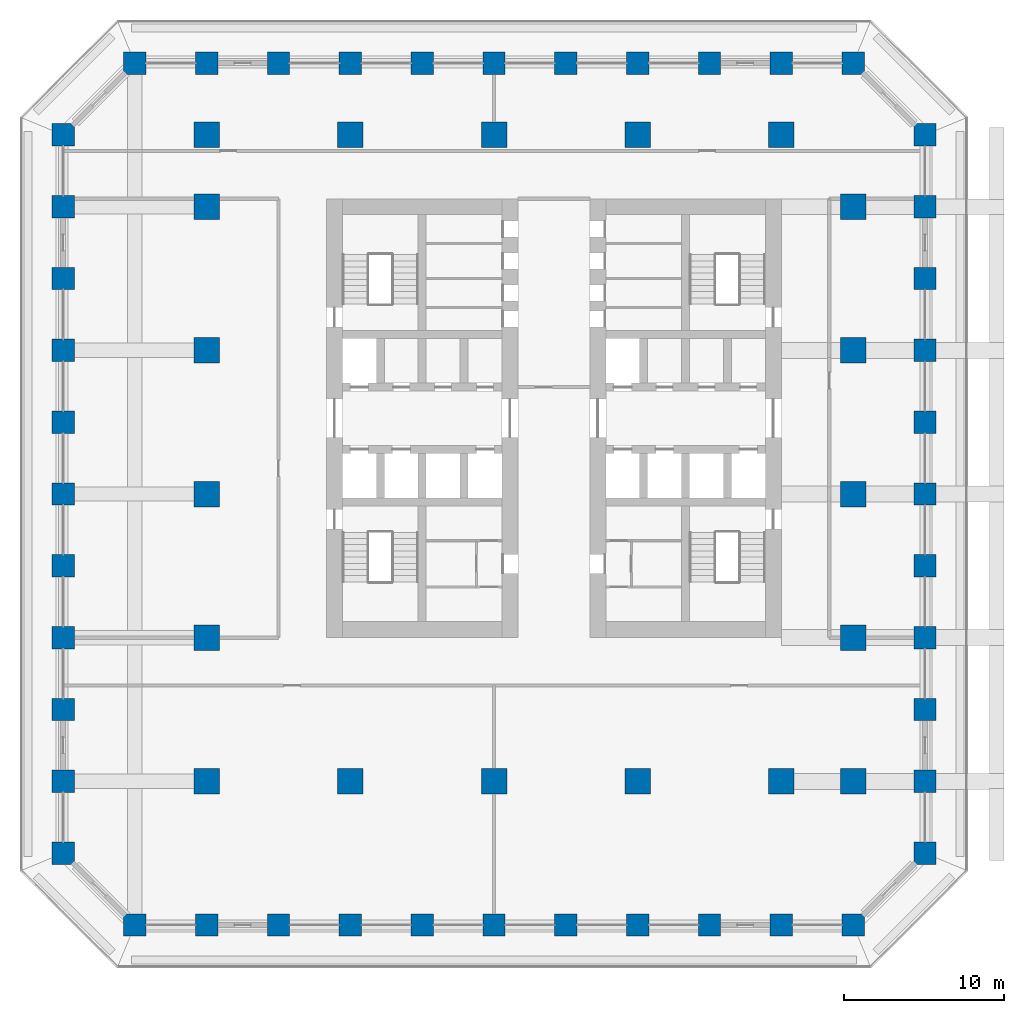
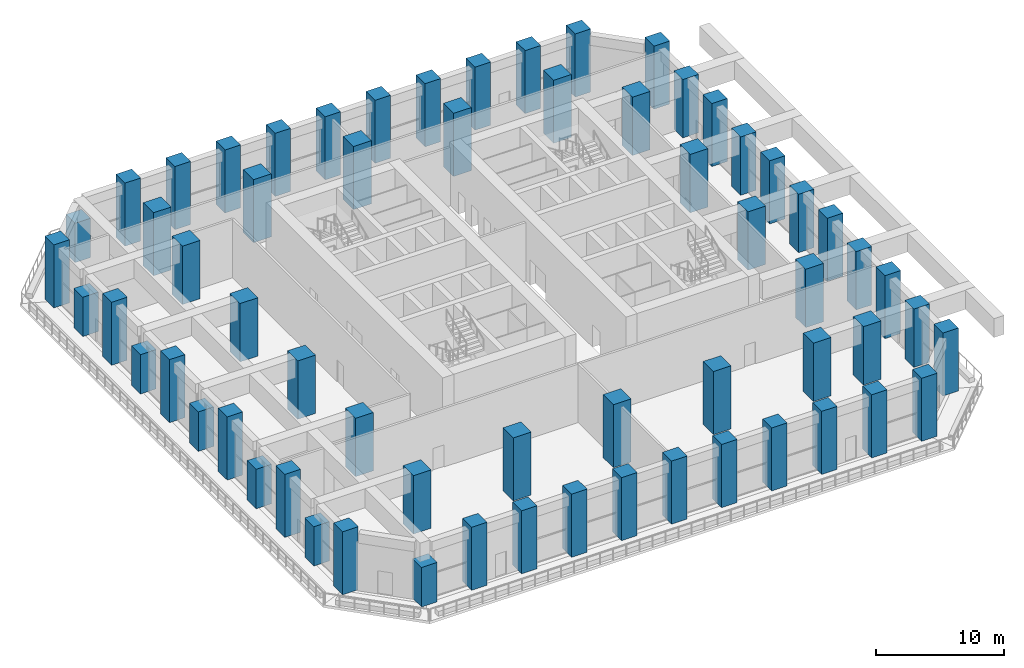
# One storey, part 1 of 21: 63 columns.
"""IFC4 building model written with IfcOpenShell, lengths in metres."""

from ifc_helpers import new_model, si_unit, direction, frame, origin, origin_2d, place, context, subcontext, project, spatial, rectangle, extrude, material, material_profile, profile_set, type_object, element, save


model = new_model("IFC4")

# Units and contexts
model_context = context("Model", 3, precision=1e-05, world=origin(), true_north=direction((0.0, 1.0)))
body_context = subcontext(model_context, "Body", "Model", "MODEL_VIEW")
ifc_project = project(units=[si_unit("LENGTHUNIT", "METRE"), si_unit("AREAUNIT", "SQUARE_METRE"), si_unit("VOLUMEUNIT", "CUBIC_METRE"), si_unit("PLANEANGLEUNIT", "RADIAN"), si_unit("MASSUNIT", "GRAM", prefix="KILO")], contexts=[model_context])

# Site, building, storey
site_placement = place(None, origin())
site = spatial("IfcSite", under=ifc_project, at=site_placement, CompositionType="ELEMENT")
building_placement = place(site_placement, origin())
building = spatial("IfcBuilding", under=site, at=building_placement, Name="Corbel Stack Research Tower", CompositionType="ELEMENT")
storey_placement = place(building_placement, frame((0.0, 0.0, 35.89990234375)))
storey = spatial("IfcBuildingStorey", under=building, at=storey_placement, Name="L08", CompositionType="ELEMENT", Elevation=35.89990234375)

# Columns
ifc_material_1 = material(Name="Concrete C70/85", Category="concrete")
ifc_material_profile_1 = material_profile(ifc_material_1, rectangle(XDim=1.39990234375, YDim=1.39990234375, at=origin_2d()), Name="RC 1400 x 1400")
ifc_profile_set_1 = profile_set([ifc_material_profile_1], Name="Concrete C70/85")
column_type_1 = type_object("IfcColumnType", Name="C-1400-70", PredefinedType="COLUMN", material=ifc_profile_set_1)
for number, where, z_axis, x_axis, name in (
    (1, (-27.0, -22.5, 0.0), (0.0, 0.0, 1.0), (1.0, 0.0, 0.0), "Column 2/C L08"),
    (2, (-27.0, -13.5, 0.0), (0.0, 0.0, 1.0), (1.0, 0.0, 0.0), "Column 2/E L08"),
    (3, (-27.0, -4.5, 0.0), (0.0, 0.0, 1.0), (1.0, 0.0, 0.0), "Column 2/G L08"),
    (4, (-27.0, 4.5, 0.0), (0.0, 0.0, 1.0), (1.0, 0.0, 0.0), "Column 2/J L08"),
    (5, (-27.0, 13.5, 0.0), (0.0, 0.0, 1.0), (1.0, 0.0, 0.0), "Column 2/L L08"),
    (6, (-27.0, 22.5, 0.0), (0.0, 0.0, 1.0), (1.0, 0.0, 0.0), "Column 2/N L08"),
    (7, (-18.0, -27.0, 0.0), (0.0, 0.0, 1.0), (1.0, 0.0, 0.0), "Column 4/B L08"),
    (8, (-18.0, 27.0, 0.0), (0.0, 0.0, 1.0), (1.0, 0.0, 0.0), "Column 4/P L08"),
    (9, (-13.5, -27.0, 0.0), (0.0, 0.0, 1.0), (1.0, 0.0, 0.0), "Column 5/B L08"),
    (10, (-13.5, 27.0, 0.0), (0.0, 0.0, 1.0), (1.0, 0.0, 0.0), "Column 5/P L08"),
    (11, (-9.0, -27.0, 0.0), (0.0, 0.0, 1.0), (1.0, 0.0, 0.0), "Column 6/B L08"),
    (12, (-9.0, 27.0, 0.0), (0.0, 0.0, 1.0), (1.0, 0.0, 0.0), "Column 6/P L08"),
    (13, (-4.5, -27.0, 0.0), (0.0, 0.0, 1.0), (1.0, 0.0, 0.0), "Column 7/B L08"),
    (14, (-4.5, 27.0, 0.0), (0.0, 0.0, 1.0), (1.0, 0.0, 0.0), "Column 7/P L08"),
    (15, (0.0, -27.0, 0.0), (0.0, 0.0, 1.0), (1.0, 0.0, 0.0), "Column 8/B L08"),
    (16, (0.0, 27.0, 0.0), (0.0, 0.0, 1.0), (1.0, 0.0, 0.0), "Column 8/P L08"),
    (17, (4.5, -27.0, 0.0), (0.0, 0.0, 1.0), (1.0, 0.0, 0.0), "Column 9/B L08"),
    (18, (4.5, 27.0, 0.0), (0.0, 0.0, 1.0), (1.0, 0.0, 0.0), "Column 9/P L08"),
    (19, (9.0, -27.0, 0.0), (0.0, 0.0, 1.0), (1.0, 0.0, 0.0), "Column 10/B L08"),
    (20, (9.0, 27.0, 0.0), (0.0, 0.0, 1.0), (1.0, 0.0, 0.0), "Column 10/P L08"),
    (21, (13.5, -27.0, 0.0), (0.0, 0.0, 1.0), (1.0, 0.0, 0.0), "Column 11/B L08"),
    (22, (13.5, 27.0, 0.0), (0.0, 0.0, 1.0), (1.0, 0.0, 0.0), "Column 11/P L08"),
    (23, (18.0, -27.0, 0.0), (0.0, 0.0, 1.0), (1.0, 0.0, 0.0), "Column 12/B L08"),
    (24, (18.0, 27.0, 0.0), (0.0, 0.0, 1.0), (1.0, 0.0, 0.0), "Column 12/P L08"),
    (25, (22.5, -27.0, 0.0), (0.0, 0.0, 1.0), (1.0, 0.0, 0.0), "Column 13/B L08"),
    (26, (22.5, 27.0, 0.0), (0.0, 0.0, 1.0), (1.0, 0.0, 0.0), "Column 13/P L08"),
    (27, (27.0, -22.5, 0.0), (0.0, 0.0, 1.0), (1.0, 0.0, 0.0), "Column 14/C L08"),
    (28, (27.0, -13.5, 0.0), (0.0, 0.0, 1.0), (1.0, 0.0, 0.0), "Column 14/E L08"),
    (29, (27.0, -4.5, 0.0), (0.0, 0.0, 1.0), (1.0, 0.0, 0.0), "Column 14/G L08"),
    (30, (27.0, 4.5, 0.0), (0.0, 0.0, 1.0), (1.0, 0.0, 0.0), "Column 14/J L08"),
    (31, (27.0, 13.5, 0.0), (0.0, 0.0, 1.0), (1.0, 0.0, 0.0), "Column 14/L L08"),
    (32, (27.0, 22.5, 0.0), (0.0, 0.0, 1.0), (1.0, 0.0, 0.0), "Column 14/N L08"),
):
    element("IfcColumn", number, at=place(storey_placement, frame(where, z_axis=z_axis, x_axis=x_axis)), inside=storey, type_object=column_type_1, Name=name, PredefinedType="COLUMN", context=body_context, shape_type="SweptSolid", body=[
        extrude(rectangle(XDim=1.39990234375, YDim=1.39990234375, at=origin_2d()), origin(), (0.0, 0.0, 1.0), 6.0),
    ])
ifc_material_2 = material(Name="Concrete C70/85", Category="concrete")
ifc_material_profile_2 = material_profile(ifc_material_2, rectangle(XDim=1.60009765625, YDim=1.60009765625, at=origin_2d()), Name="RC 1600 x 1600")
ifc_profile_set_2 = profile_set([ifc_material_profile_2], Name="Concrete C70/85")
column_type_2 = type_object("IfcColumnType", Name="C-1600-70", PredefinedType="COLUMN", material=ifc_profile_set_2)
for number, where, z_axis, x_axis, name in (
    (33, (-18.0, 22.5, 0.0), (0.0, 0.0, 1.0), (1.0, 0.0, 0.0), "Column 4/N L08"),
    (34, (-9.0, -18.0, 0.0), (0.0, 0.0, 1.0), (1.0, 0.0, 0.0), "Column 6/D L08"),
    (35, (-9.0, 22.5, 0.0), (0.0, 0.0, 1.0), (1.0, 0.0, 0.0), "Column 6/N L08"),
    (36, (0.0, -18.0, 0.0), (0.0, 0.0, 1.0), (1.0, 0.0, 0.0), "Column 8/D L08"),
    (37, (0.0, 22.5, 0.0), (0.0, 0.0, 1.0), (1.0, 0.0, 0.0), "Column 8/N L08"),
    (38, (9.0, -18.0, 0.0), (0.0, 0.0, 1.0), (1.0, 0.0, 0.0), "Column 10/D L08"),
    (39, (9.0, 22.5, 0.0), (0.0, 0.0, 1.0), (1.0, 0.0, 0.0), "Column 10/N L08"),
    (40, (18.0, 22.5, 0.0), (0.0, 0.0, 1.0), (1.0, 0.0, 0.0), "Column 12/N L08"),
):
    element("IfcColumn", number, at=place(storey_placement, frame(where, z_axis=z_axis, x_axis=x_axis)), inside=storey, type_object=column_type_2, Name=name, PredefinedType="COLUMN", context=body_context, shape_type="SweptSolid", body=[
        extrude(rectangle(XDim=1.60009765625, YDim=1.60009765625, at=origin_2d()), origin(), (0.0, 0.0, 1.0), 6.0),
    ])
ifc_material_3 = material(Name="Concrete C70/85", Category="concrete")
ifc_material_profile_3 = material_profile(ifc_material_3, rectangle(XDim=1.39990234375, YDim=1.39990234375, at=origin_2d()), Name="RC 1400 x 1400")
ifc_profile_set_3 = profile_set([ifc_material_profile_3], Name="Concrete C70/85")
column_type_3 = type_object("IfcColumnType", Name="CG-1400-70-2250", PredefinedType="COLUMN", material=ifc_profile_set_3)
for number, where, z_axis, x_axis, name in (
    (41, (-27.0, -18.0, 0.0), (0.0, 0.0, 1.0), (1.0, 0.0, 0.0), "Column 2/D L08"),
    (42, (-27.0, -9.0, 0.0), (0.0, 0.0, 1.0), (1.0, 0.0, 0.0), "Column 2/F L08"),
    (43, (-27.0, 0.0, 0.0), (0.0, 0.0, 1.0), (1.0, 0.0, 0.0), "Column 2/H L08"),
    (44, (-27.0, 9.0, 0.0), (0.0, 0.0, 1.0), (1.0, 0.0, 0.0), "Column 2/K L08"),
    (45, (-27.0, 18.0, 0.0), (0.0, 0.0, 1.0), (1.0, 0.0, 0.0), "Column 2/M L08"),
    (46, (-22.5, -27.0, 0.0), (0.0, 0.0, 1.0), (1.0, 0.0, 0.0), "Column 3/B L08"),
    (47, (-22.5, 27.0, 0.0), (0.0, 0.0, 1.0), (1.0, 0.0, 0.0), "Column 3/P L08"),
):
    element("IfcColumn", number, at=place(storey_placement, frame(where, z_axis=z_axis, x_axis=x_axis)), inside=storey, type_object=column_type_3, Name=name, PredefinedType="COLUMN", context=body_context, shape_type="SweptSolid", body=[
        extrude(rectangle(XDim=1.39990234375, YDim=1.39990234375, at=origin_2d()), origin(), (0.0, 0.0, 1.0), 3.75),
    ])
ifc_material_4 = material(Name="Concrete C70/85", Category="concrete")
ifc_material_profile_4 = material_profile(ifc_material_4, rectangle(XDim=1.39990234375, YDim=1.39990234375, at=origin_2d()), Name="RC 1400 x 1400")
ifc_profile_set_4 = profile_set([ifc_material_profile_4], Name="Concrete C70/85")
column_type_4 = type_object("IfcColumnType", Name="CG-1400-70-450", PredefinedType="COLUMN", material=ifc_profile_set_4)
for number, where, z_axis, x_axis, name in (
    (48, (27.0, -18.0, 0.0), (0.0, 0.0, 1.0), (1.0, 0.0, 0.0), "Column 14/D L08"),
    (49, (27.0, -9.0, 0.0), (0.0, 0.0, 1.0), (1.0, 0.0, 0.0), "Column 14/F L08"),
    (50, (27.0, 0.0, 0.0), (0.0, 0.0, 1.0), (1.0, 0.0, 0.0), "Column 14/H L08"),
    (51, (27.0, 9.0, 0.0), (0.0, 0.0, 1.0), (1.0, 0.0, 0.0), "Column 14/K L08"),
    (52, (27.0, 18.0, 0.0), (0.0, 0.0, 1.0), (1.0, 0.0, 0.0), "Column 14/M L08"),
):
    element("IfcColumn", number, at=place(storey_placement, frame(where, z_axis=z_axis, x_axis=x_axis)), inside=storey, type_object=column_type_4, Name=name, PredefinedType="COLUMN", context=body_context, shape_type="SweptSolid", body=[
        extrude(rectangle(XDim=1.39990234375, YDim=1.39990234375, at=origin_2d()), origin(), (0.0, 0.0, 1.0), 5.550048828125),
    ])
ifc_material_5 = material(Name="Concrete C70/85", Category="concrete")
ifc_material_profile_5 = material_profile(ifc_material_5, rectangle(XDim=1.60009765625, YDim=1.60009765625, at=origin_2d()), Name="RC 1600 x 1600")
ifc_profile_set_5 = profile_set([ifc_material_profile_5], Name="Concrete C70/85")
column_type_5 = type_object("IfcColumnType", Name="CG-1600-70-450", PredefinedType="COLUMN", material=ifc_profile_set_5)
for number, where, z_axis, x_axis, name in (
    (53, (-18.0, -18.0, 0.0), (0.0, 0.0, 1.0), (1.0, 0.0, 0.0), "Column 4/D L08"),
    (54, (-18.0, -9.0, 0.0), (0.0, 0.0, 1.0), (1.0, 0.0, 0.0), "Column 4/F L08"),
    (55, (-18.0, 0.0, 0.0), (0.0, 0.0, 1.0), (1.0, 0.0, 0.0), "Column 4/H L08"),
    (56, (-18.0, 9.0, 0.0), (0.0, 0.0, 1.0), (1.0, 0.0, 0.0), "Column 4/K L08"),
    (57, (-18.0, 18.0, 0.0), (0.0, 0.0, 1.0), (1.0, 0.0, 0.0), "Column 4/M L08"),
    (58, (18.0, -18.0, 0.0), (0.0, 0.0, 1.0), (1.0, 0.0, 0.0), "Column 12/D L08"),
    (59, (22.5, -18.0, 0.0), (0.0, 0.0, 1.0), (1.0, 0.0, 0.0), "Column 13/D L08"),
    (60, (22.5, -9.0, 0.0), (0.0, 0.0, 1.0), (1.0, 0.0, 0.0), "Column 13/F L08"),
    (61, (22.5, 0.0, 0.0), (0.0, 0.0, 1.0), (1.0, 0.0, 0.0), "Column 13/H L08"),
    (62, (22.5, 9.0, 0.0), (0.0, 0.0, 1.0), (1.0, 0.0, 0.0), "Column 13/K L08"),
    (63, (22.5, 18.0, 0.0), (0.0, 0.0, 1.0), (1.0, 0.0, 0.0), "Column 13/M L08"),
):
    element("IfcColumn", number, at=place(storey_placement, frame(where, z_axis=z_axis, x_axis=x_axis)), inside=storey, type_object=column_type_5, Name=name, PredefinedType="COLUMN", context=body_context, shape_type="SweptSolid", body=[
        extrude(rectangle(XDim=1.60009765625, YDim=1.60009765625, at=origin_2d()), origin(), (0.0, 0.0, 1.0), 5.550048828125),
    ])

save(model, "model.ifc")
